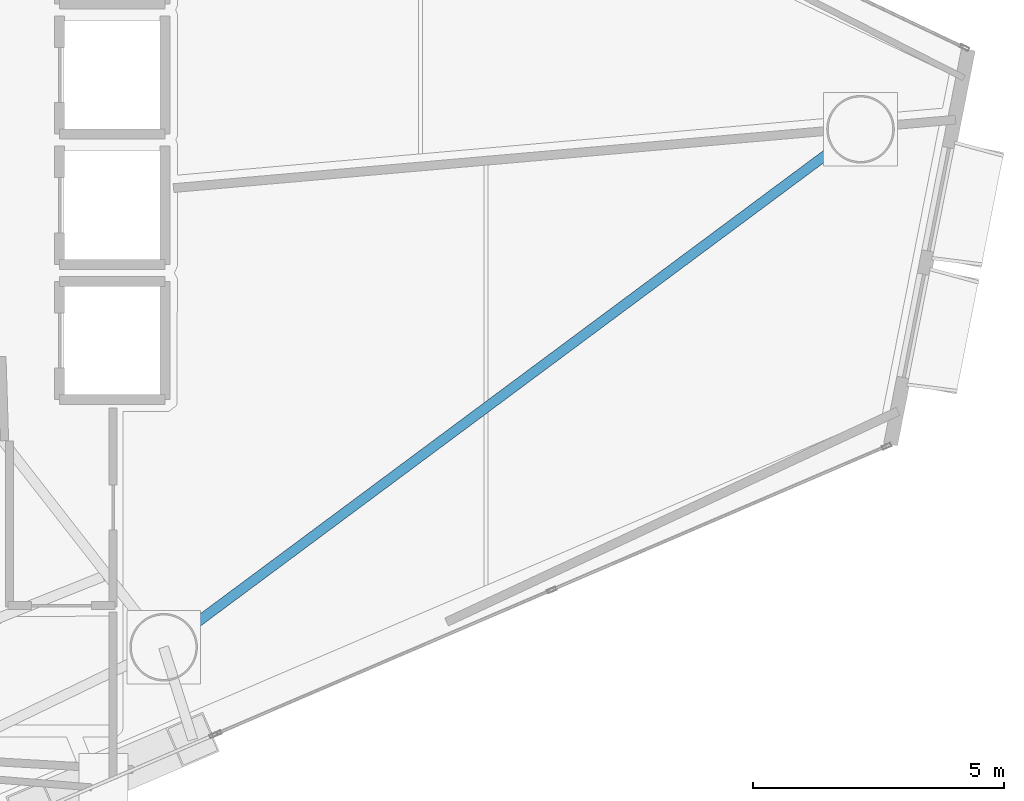
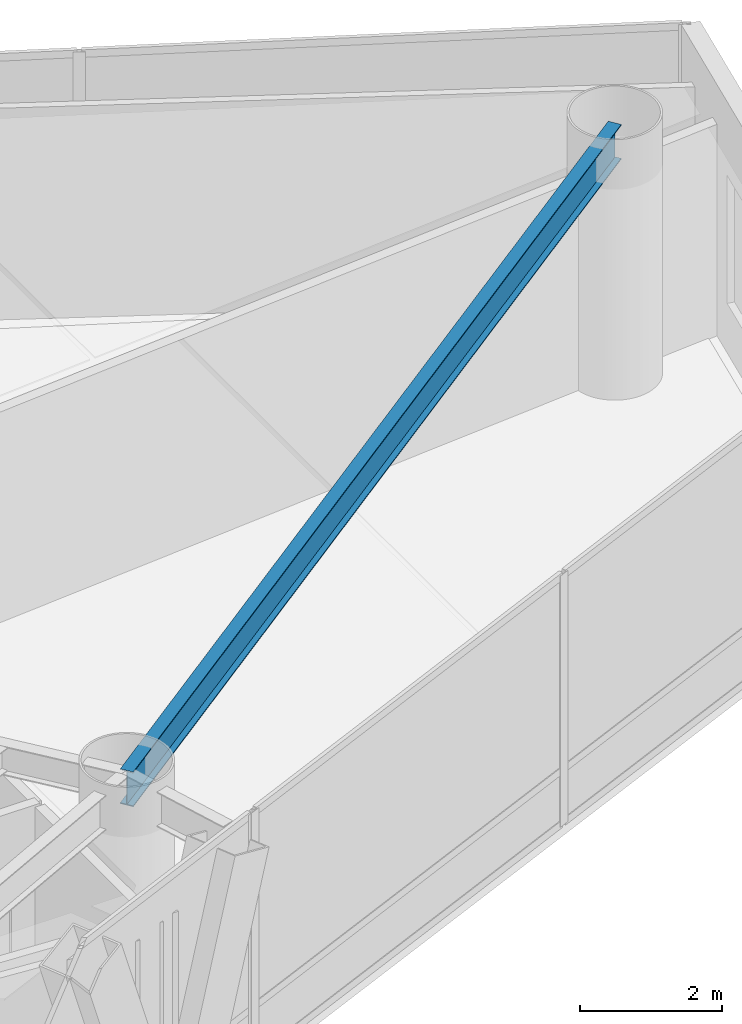
# One storey, part 6 of 21: 1 beam.
"""IFC4 building model written with IfcOpenShell, lengths in metres."""

from ifc_helpers import new_model, si_unit, direction, frame, origin, origin_2d, place, context, subcontext, project, spatial, i_section, extrude, material, material_profile, profile_set, type_object, element, save


model = new_model("IFC4")

# Units and contexts
model_context = context("Model", 3, precision=1e-05, world=origin(), true_north=direction((0.0, 1.0)))
body_context = subcontext(model_context, "Body", "Model", "MODEL_VIEW")
ifc_project = project(units=[si_unit("LENGTHUNIT", "METRE"), si_unit("AREAUNIT", "SQUARE_METRE"), si_unit("VOLUMEUNIT", "CUBIC_METRE"), si_unit("PLANEANGLEUNIT", "RADIAN"), si_unit("MASSUNIT", "GRAM", prefix="KILO")], contexts=[model_context])

# Site, building, storey
site_placement = place(None, origin())
site = spatial("IfcSite", under=ifc_project, at=site_placement, CompositionType="ELEMENT")
building_placement = place(site_placement, origin())
building = spatial("IfcBuilding", under=site, at=building_placement, Name="Qianvela Tower", CompositionType="ELEMENT")
storey_placement = place(building_placement, frame((0.0, 0.0, 143.10009765625)))
storey = spatial("IfcBuildingStorey", under=building, at=storey_placement, Name="L36", CompositionType="ELEMENT", Elevation=143.10009765625)

# Beam
ifc_material = material(Name="Steel Q355B", Category="steel")
ifc_material_profile = material_profile(ifc_material, i_section(OverallWidth=0.199951171875, OverallDepth=0.60009765625, WebThickness=0.010986328125, FlangeThickness=0.01708984375, at=origin_2d()), Name="HN600x200x11x17")
ifc_profile_set = profile_set([ifc_material_profile], Name="Steel Q355B")
beam_type = type_object("IfcBeamType", Name="BM-HN600-GIRD", PredefinedType="BEAM", material=ifc_profile_set)
beam_placement = place(storey_placement, frame((43.52490234375, 17.279052734375, 4.017822265625), z_axis=(0.802568869864, 0.596559476603, 0.0), x_axis=(-0.596559476603, 0.802568869864, 0.0)))
element("IfcBeam", 1, at=beam_placement, inside=storey, type_object=beam_type, Name="L36 Perimeter Ring Spandrel Girder 6", PredefinedType="BEAM", context=body_context, shape_type="SweptSolid", body=[
    extrude(i_section(OverallWidth=0.199951171875, OverallDepth=0.60009765625, WebThickness=0.010986328125, FlangeThickness=0.01708984375, at=origin_2d()), origin(), (0.0, 0.0, 1.0), 17.330810546875),
])

save(model, "model.ifc")
